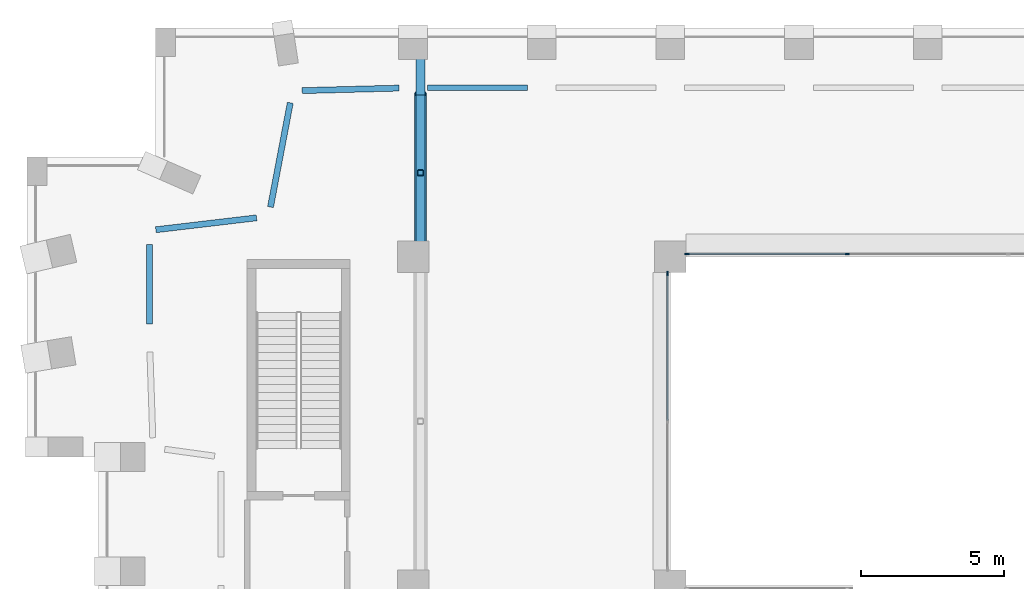
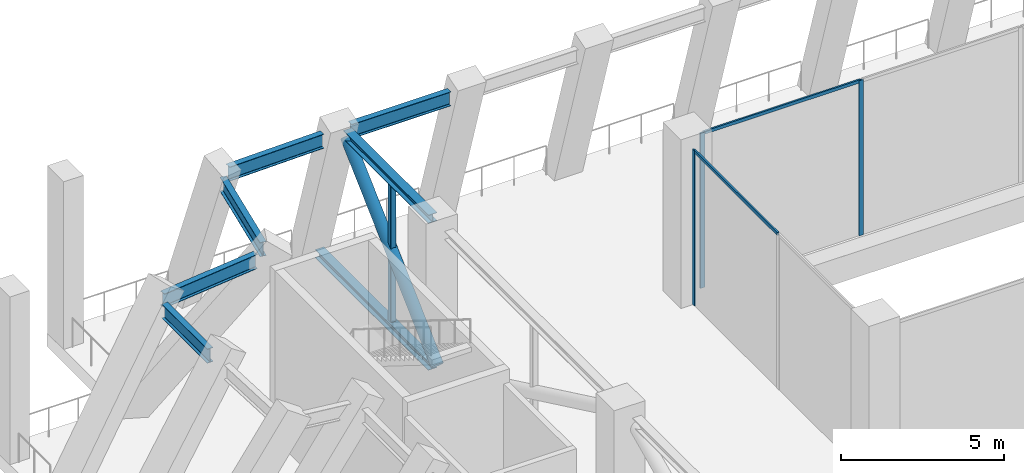
# One storey, part 6 of 14: 10 members, 5 beams, 2 elements without a shape of their own.
"""IFC4 building model written with IfcOpenShell, lengths in metres."""

from ifc_helpers import new_model, si_unit, direction, frame, origin, origin_2d, place, context, subcontext, project, spatial, rectangle, hollow_rectangle, hollow_circle, i_section, extrude, material, layer, layer_set, material_profile, profile_set, type_object, element, aggregate, save


model = new_model("IFC4")

# Units and contexts
model_context = context("Model", 3, precision=1e-05, world=origin(), true_north=direction((0.0, 1.0)))
body_context = subcontext(model_context, "Body", "Model", "MODEL_VIEW")
ifc_project = project(units=[si_unit("LENGTHUNIT", "METRE"), si_unit("AREAUNIT", "SQUARE_METRE"), si_unit("VOLUMEUNIT", "CUBIC_METRE"), si_unit("PLANEANGLEUNIT", "RADIAN"), si_unit("MASSUNIT", "GRAM", prefix="KILO")], contexts=[model_context])

# Site, building, storey
site_placement = place(None, origin())
site = spatial("IfcSite", under=ifc_project, at=site_placement, CompositionType="ELEMENT")
building_placement = place(site_placement, origin())
building = spatial("IfcBuilding", under=site, at=building_placement, Name="Brigalow Station Residences", CompositionType="ELEMENT")
storey_placement = place(building_placement, frame((0.0, 0.0, 185.39990234375)))
storey = spatial("IfcBuildingStorey", under=building, at=storey_placement, Name="L54", CompositionType="ELEMENT", Elevation=185.39990234375)

# Curtain wall, members
ifc_material_1 = material(Name="Aluminium", Category="aluminium")
ifc_layer = layer(ifc_material_1, 0.14990234375)
ifc_layer_set = layer_set([ifc_layer], Name="ATRIUM FIRE-RATED GLAZING CURTAIN WALL")
curtain_wall_type = type_object("IfcCurtainWallType", Name="ATRIUM FIRE-RATED GLAZING CURTAIN WALL", PredefinedType="NOTDEFINED", material=ifc_layer_set)
curtain_wall_1_placement = place(storey_placement, origin())
curtain_wall_1 = element("IfcCurtainWall", 1, at=curtain_wall_1_placement, inside=storey, type_object=curtain_wall_type, Name="L54/cw/atrium-N", PredefinedType="NOTDEFINED")
ifc_material_2 = material(Name="Aluminium", Category="aluminium")
ifc_material_profile_1 = material_profile(ifc_material_2, rectangle(XDim=0.06005859375, YDim=0.14990234375, at=origin_2d()), Name="ATRIUM FIRE-RATED GLAZING MULLION 60x150")
ifc_profile_set_1 = profile_set([ifc_material_profile_1], Name="Aluminium")
member_type_1 = type_object("IfcMemberType", Name="ATRIUM FIRE-RATED GLAZING MULLION 60x150", PredefinedType="MULLION", material=ifc_profile_set_1)
member_1_placement = place(storey_placement, frame((33.183349609375, 35.60009765625, 0.0), z_axis=(0.0, 0.0, 1.0), x_axis=(0.0, -1.0, 0.0)))
member_1 = element("IfcMember", 2, at=member_1_placement, type_object=member_type_1, Name="L54/cw/atrium-N/M02", PredefinedType="MULLION", context=body_context, shape_type="SweptSolid", body=[
    extrude(rectangle(XDim=0.06005859375, YDim=0.14990234375, at=origin_2d()), origin(), (0.0, 0.0, 1.0), 5.800048828125),
])
member_2_placement = place(storey_placement, frame((27.580078125, 35.60009765625, 0.0), z_axis=(0.0, 0.0, 1.0), x_axis=(0.0, -1.0, 0.0)))
member_2 = element("IfcMember", 3, at=member_2_placement, type_object=member_type_1, Name="L54/cw/atrium-N/M03", PredefinedType="MULLION", context=body_context, shape_type="SweptSolid", body=[
    extrude(rectangle(XDim=0.06005859375, YDim=0.14990234375, at=origin_2d()), origin(), (0.0, 0.0, 1.0), 5.800048828125),
])

# Curtain wall, member
curtain_wall_2_placement = place(storey_placement, origin())
curtain_wall_2 = element("IfcCurtainWall", 4, at=curtain_wall_2_placement, inside=storey, type_object=curtain_wall_type, Name="L54/cw/atrium-W", PredefinedType="NOTDEFINED")
member_3_placement = place(storey_placement, frame((26.89990234375, 34.919921875, 0.0), z_axis=(0.0, 0.0, 1.0), x_axis=(1.0, 0.0, 0.0)))
member_3 = element("IfcMember", 5, at=member_3_placement, type_object=member_type_1, Name="L54/cw/atrium-W/M00", PredefinedType="MULLION", context=body_context, shape_type="SweptSolid", body=[
    extrude(rectangle(XDim=0.06005859375, YDim=0.14990234375, at=origin_2d()), origin(), (0.0, 0.0, 1.0), 5.800048828125),
])

# Member
ifc_material_3 = material(Name="Aluminium", Category="aluminium")
ifc_material_profile_2 = material_profile(ifc_material_3, rectangle(XDim=0.06005859375, YDim=0.1201171875, at=origin_2d()), Name="ATRIUM FIRE-RATED GLAZING TRANSOM 60x120")
ifc_profile_set_2 = profile_set([ifc_material_profile_2], Name="Aluminium")
member_type_2 = type_object("IfcMemberType", Name="ATRIUM FIRE-RATED GLAZING TRANSOM 60x120", PredefinedType="USERDEFINED", material=ifc_profile_set_2)
member_4_placement = place(storey_placement, frame((33.1533203125, 35.60009765625, 5.77001953125), z_axis=(-1.0, 0.0, 0.0), x_axis=(0.0, -1.0, 0.0)))
member_4 = element("IfcMember", 6, at=member_4_placement, type_object=member_type_2, Name="L54/cw/atrium-N/T02-00", ObjectType="TRANSOM", PredefinedType="USERDEFINED", context=body_context, shape_type="SweptSolid", body=[
    extrude(rectangle(XDim=0.06005859375, YDim=0.1201171875, at=origin_2d()), origin(), (0.0, 0.0, 1.0), 5.543212890625),
])

aggregate(curtain_wall_1, [member_1, member_2, member_4])

member_5_placement = place(storey_placement, frame((26.89990234375, 34.889892578125, 5.77001953125), z_axis=(0.0, -1.0, 0.0), x_axis=(1.0, 0.0, 0.0)))
member_5 = element("IfcMember", 7, at=member_5_placement, type_object=member_type_2, Name="L54/cw/atrium-W/T00-00", ObjectType="TRANSOM", PredefinedType="USERDEFINED", context=body_context, shape_type="SweptSolid", body=[
    extrude(rectangle(XDim=0.06005859375, YDim=0.1201171875, at=origin_2d()), origin(), (0.0, 0.0, 1.0), 5.10986328125),
])

aggregate(curtain_wall_2, [member_3, member_5])

# Beams
ifc_material_4 = material(Name="Steel Grade 300 to AS/NZS 3679.1", Category="steel")
ifc_material_profile_3 = material_profile(ifc_material_4, i_section(OverallWidth=0.208984375, OverallDepth=0.532958984375, WebThickness=0.01025390625, FlangeThickness=0.015625, FilletRadius=0.013916015625, at=origin_2d()), Name="530UB92.4")
ifc_profile_set_3 = profile_set([ifc_material_profile_3], Name="Steel Grade 300 to AS/NZS 3679.1")
beam_type = type_object("IfcBeamType", Name="BELT GIRDER 530UB92.4", PredefinedType="USERDEFINED", material=ifc_profile_set_3)
beam_1_placement = place(storey_placement, frame((22.0, 41.415283203125, 5.53369140625), z_axis=(-1.0, 0.0, 0.0), x_axis=(0.0, -1.0, 0.0)))
element("IfcBeam", 8, at=beam_1_placement, inside=storey, type_object=beam_type, Name="BELT GIRDER 27 L54", ObjectType="BELT GIRDER", PredefinedType="USERDEFINED", context=body_context, shape_type="SweptSolid", body=[
    extrude(i_section(OverallWidth=0.208984375, OverallDepth=0.532958984375, WebThickness=0.01025390625, FlangeThickness=0.015625, FilletRadius=0.013916015625, at=origin_2d()), origin(), (0.0, 0.0, 1.0), 3.5),
])
beam_2_placement = place(storey_placement, frame((17.5048828125, 41.40234375, 5.53369140625), z_axis=(-0.999660530343, -0.026054252506, 0.0), x_axis=(0.026054252506, -0.999660530343, 0.0)))
element("IfcBeam", 9, at=beam_2_placement, inside=storey, type_object=beam_type, Name="BELT GIRDER 28 L54", ObjectType="BELT GIRDER", PredefinedType="USERDEFINED", context=body_context, shape_type="SweptSolid", body=[
    extrude(i_section(OverallWidth=0.208984375, OverallDepth=0.532958984375, WebThickness=0.01025390625, FlangeThickness=0.015625, FilletRadius=0.013916015625, at=origin_2d()), origin(), (0.0, 0.0, 1.0), 3.3828125),
])
beam_3_placement = place(storey_placement, frame((13.7060546875, 40.886962890625, 5.53369140625), z_axis=(-0.186413593293, -0.982471359499, 0.0), x_axis=(0.982471359499, -0.186413593293, 0.0)))
element("IfcBeam", 10, at=beam_3_placement, inside=storey, type_object=beam_type, Name="BELT GIRDER 29 L54", ObjectType="BELT GIRDER", PredefinedType="USERDEFINED", context=body_context, shape_type="SweptSolid", body=[
    extrude(i_section(OverallWidth=0.208984375, OverallDepth=0.532958984375, WebThickness=0.01025390625, FlangeThickness=0.015625, FilletRadius=0.013916015625, at=origin_2d()), origin(), (0.0, 0.0, 1.0), 3.710205078125),
])
beam_4_placement = place(storey_placement, frame((12.526611328125, 36.864990234375, 5.53369140625), z_axis=(-0.993087017277, -0.117380475872, 0.0), x_axis=(0.117380475872, -0.993087017277, 0.0)))
element("IfcBeam", 11, at=beam_4_placement, inside=storey, type_object=beam_type, Name="BELT GIRDER 30 L54", ObjectType="BELT GIRDER", PredefinedType="USERDEFINED", context=body_context, shape_type="SweptSolid", body=[
    extrude(i_section(OverallWidth=0.208984375, OverallDepth=0.532958984375, WebThickness=0.01025390625, FlangeThickness=0.015625, FilletRadius=0.013916015625, at=origin_2d()), origin(), (0.0, 0.0, 1.0), 3.546142578125),
])
beam_5_placement = place(storey_placement, frame((8.780517578125, 35.935791015625, 5.53369140625), z_axis=(0.0, -1.0, 0.0), x_axis=(1.0, 0.0, 0.0)))
element("IfcBeam", 12, at=beam_5_placement, inside=storey, type_object=beam_type, Name="BELT GIRDER 31 L54", ObjectType="BELT GIRDER", PredefinedType="USERDEFINED", context=body_context, shape_type="SweptSolid", body=[
    extrude(i_section(OverallWidth=0.208984375, OverallDepth=0.532958984375, WebThickness=0.01025390625, FlangeThickness=0.015625, FilletRadius=0.013916015625, at=origin_2d()), origin(), (0.0, 0.0, 1.0), 2.791015625),
])

# Members
ifc_material_5 = material(Name="Steel Grade C350L0 to AS/NZS 1163", Category="steel")
ifc_material_profile_4 = material_profile(ifc_material_5, hollow_circle(Radius=0.203125, WallThickness=0.0126953125, at=origin_2d()), Name="406.4x12.7CHS")
ifc_profile_set_4 = profile_set([ifc_material_profile_4], Name="Steel Grade C350L0 to AS/NZS 1163")
member_type_3 = type_object("IfcMemberType", Name="OUTRIGGER BRACE 406.4x12.7CHS", PredefinedType="BRACE", material=ifc_profile_set_4)
member_6_placement = place(storey_placement, frame((18.260009765625, 35.668701171875, 0.314697265625), z_axis=(0.0, 0.731267277684, 0.682091026615), x_axis=(-1.0, 0.0, 0.0)))
element("IfcMember", 13, at=member_6_placement, inside=storey, type_object=member_type_3, Name="OUTRIGGER BRACE W3 L54", PredefinedType="BRACE", context=body_context, shape_type="SweptSolid", body=[
    extrude(hollow_circle(Radius=0.203125, WallThickness=0.0126953125, at=origin_2d()), origin(), (0.0, 0.0, 1.0), 7.5810546875),
])
ifc_material_6 = material(Name="Steel Grade 300 to AS/NZS 3679.1", Category="steel")
ifc_material_profile_5 = material_profile(ifc_material_6, i_section(OverallWidth=0.306884765625, OverallDepth=0.314697265625, WebThickness=0.011962890625, FlangeThickness=0.018798828125, FilletRadius=0.0166015625, at=origin_2d()), Name="310UC118")
ifc_profile_set_5 = profile_set([ifc_material_profile_5], Name="Steel Grade 300 to AS/NZS 3679.1")
member_type_4 = type_object("IfcMemberType", Name="OUTRIGGER CHORD 310UC118", PredefinedType="CHORD", material=ifc_profile_set_5)
member_7_placement = place(storey_placement, frame((18.260009765625, 35.949951171875, 0.157470703125), z_axis=(0.0, 1.0, 0.0), x_axis=(-1.0, 0.0, 0.0)))
element("IfcMember", 14, at=member_7_placement, inside=storey, type_object=member_type_4, Name="OUTRIGGER CHORD W LOWER 3 L54", PredefinedType="CHORD", context=body_context, shape_type="SweptSolid", body=[
    extrude(i_section(OverallWidth=0.306884765625, OverallDepth=0.314697265625, WebThickness=0.011962890625, FlangeThickness=0.018798828125, FilletRadius=0.0166015625, at=origin_2d()), origin(), (0.0, 0.0, 1.0), 6.933837890625),
])
member_8_placement = place(storey_placement, frame((18.260009765625, 35.949951171875, 5.642822265625), z_axis=(0.0, 1.0, 0.0), x_axis=(-1.0, 0.0, 0.0)))
element("IfcMember", 15, at=member_8_placement, inside=storey, type_object=member_type_4, Name="OUTRIGGER CHORD W UPPER 3 L54", PredefinedType="CHORD", context=body_context, shape_type="SweptSolid", body=[
    extrude(i_section(OverallWidth=0.306884765625, OverallDepth=0.314697265625, WebThickness=0.011962890625, FlangeThickness=0.018798828125, FilletRadius=0.0166015625, at=origin_2d()), origin(), (0.0, 0.0, 1.0), 5.21435546875),
])
ifc_material_7 = material(Name="Steel Grade C450L0 to AS/NZS 1163", Category="steel")
ifc_material_profile_6 = material_profile(ifc_material_7, hollow_rectangle(XDim=0.199951171875, YDim=0.199951171875, WallThickness=0.009033203125, InnerFilletRadius=0.013427734375, OuterFilletRadius=0.0224609375, at=origin_2d()), Name="200x200x9.0SHS")
ifc_profile_set_6 = profile_set([ifc_material_profile_6], Name="Steel Grade C450L0 to AS/NZS 1163")
member_type_5 = type_object("IfcMemberType", Name="OUTRIGGER POST 200x200x9.0SHS", PredefinedType="POST", material=ifc_profile_set_6)
for number, where, z_axis, x_axis, name in (
    (16, (18.260009765625, 38.4404296875, 0.314697265625), (0.0, 0.0, 1.0), (1.0, 0.0, 0.0), "OUTRIGGER POST W3L L54"),
    (17, (18.260009765625, 38.4404296875, 2.900146484375), (0.0, 0.0, 1.0), (1.0, 0.0, 0.0), "OUTRIGGER POST W3U L54"),
):
    element("IfcMember", number, at=place(storey_placement, frame(where, z_axis=z_axis, x_axis=x_axis)), inside=storey, type_object=member_type_5, Name=name, PredefinedType="POST", context=body_context, shape_type="SweptSolid", body=[
        extrude(hollow_rectangle(XDim=0.199951171875, YDim=0.199951171875, WallThickness=0.009033203125, InnerFilletRadius=0.013427734375, OuterFilletRadius=0.0224609375, at=origin_2d()), origin(), (0.0, 0.0, 1.0), 2.58544921875),
    ])

save(model, "model.ifc")
